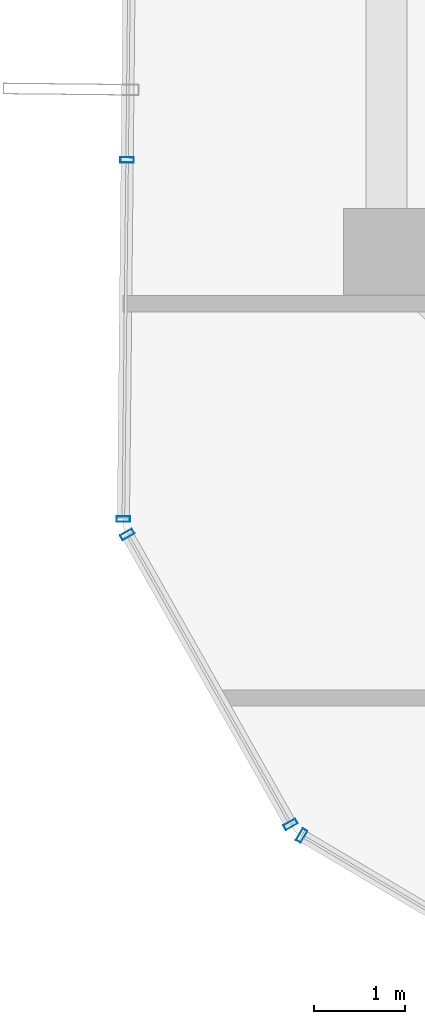
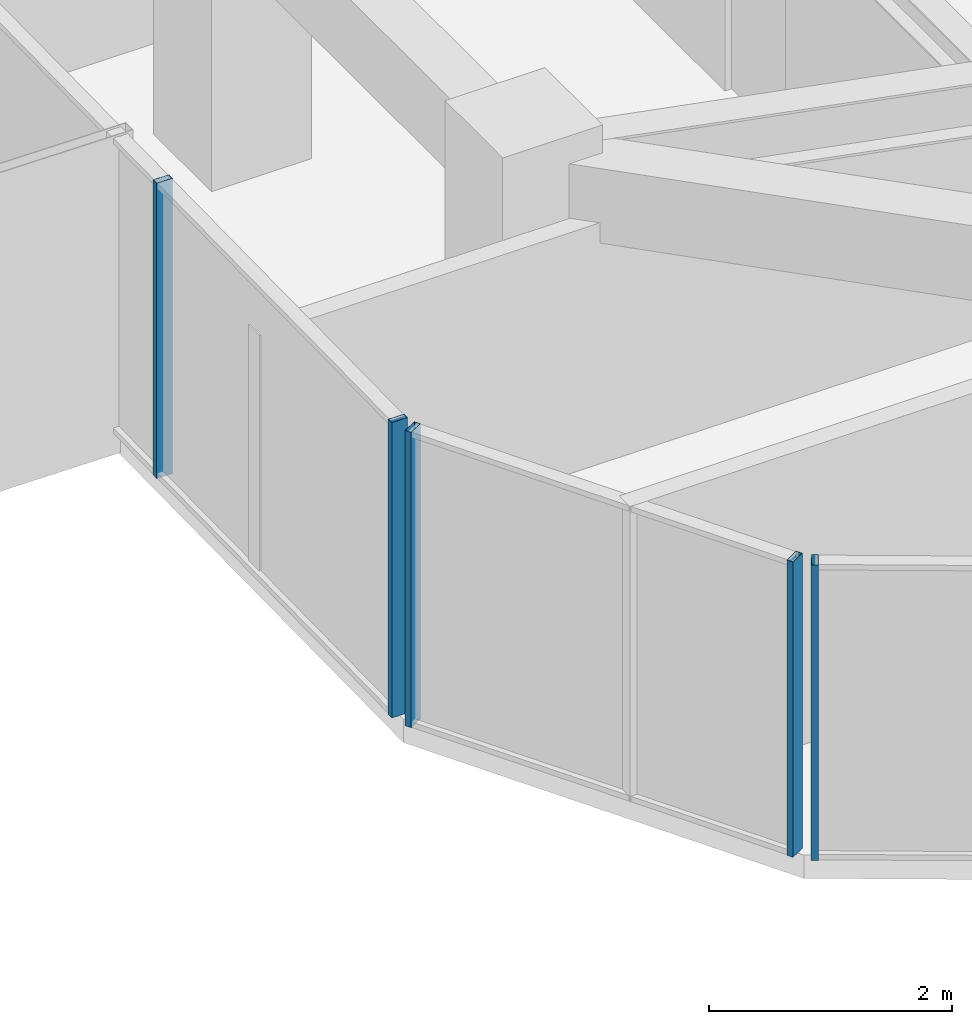
# One storey, part 4 of 30: 5 members, 3 elements without a shape of their own.
"""IFC4 building model written with IfcOpenShell, lengths in metres."""

import ifcopenshell
import ifcopenshell.guid

model = None  # the IFC model being written
_history = None  # IfcOwnerHistory: only IFC2X3 demands one
_inside = {}  # id of a spatial element -> (the spatial element, [elements in it])
_under = {}  # id of a project, library or spatial element -> (it, [spatial elements below it])
_declared = {}  # id of a project -> (the project, [libraries it declares])
_typed = {}  # id of a type object -> (the type object, [elements of that type])
_made_of = {}  # id of a material, layer set ... -> (it, [elements and type objects made of it])


def new_model(schema):
    """Start an empty IFC model of exactly this schema.

    Asked for "IFC4X3", IfcOpenShell would pick the latest addendum, in which some entities
    have other attributes; the version numbers below select the first issue.
    IFC2X3 requires an IfcOwnerHistory on every rooted entity: one is made here for all.
    """
    global model, _history
    if schema == "IFC4X3":
        model = ifcopenshell.file(schema_version=(4, 3, 0, 0))
    else:
        model = ifcopenshell.file(schema=schema)
    _inside.clear()
    _under.clear()
    _declared.clear()
    _typed.clear()
    _made_of.clear()
    _history = None
    if model.schema == "IFC2X3":
        org = make("IfcOrganization", Name="unknown")
        user = make(
            "IfcPersonAndOrganization",
            ThePerson=make("IfcPerson", FamilyName="unknown"),
            TheOrganization=org,
        )
        app = make(
            "IfcApplication",
            ApplicationDeveloper=org,
            Version="unknown",
            ApplicationFullName="unknown",
            ApplicationIdentifier="unknown",
        )
        _history = make(
            "IfcOwnerHistory",
            OwningUser=user,
            OwningApplication=app,
            ChangeAction="ADDED",
            CreationDate=0,
        )
    return model


def make(cls, **values):
    """One entity of the class cls with the attributes given. An attribute that is None is left unset."""
    return model.create_entity(
        cls, **{name: value for name, value in values.items() if value is not None}
    )


def rooted(cls, **values):
    """An entity with a GlobalId (a new one), such as an element, a storey or a relation."""
    return make(cls, GlobalId=ifcopenshell.guid.new(), OwnerHistory=_history, **values)


def si_unit(unit_type, name, prefix=None):
    """IfcSIUnit, for example si_unit("LENGTHUNIT", "METRE", prefix="MILLI")."""
    return make("IfcSIUnit", UnitType=unit_type, Prefix=prefix, Name=name)


def assignment(units):
    """IfcUnitAssignment: the units of a project."""
    return None if units is None else make("IfcUnitAssignment", Units=units)


def point(xyz):
    """IfcCartesianPoint."""
    return None if xyz is None else make("IfcCartesianPoint", Coordinates=xyz)


def direction(xyz):
    """IfcDirection."""
    return None if xyz is None else make("IfcDirection", DirectionRatios=xyz)


def frame(location, z_axis=None, x_axis=None):
    """IfcAxis2Placement3D, a coordinate frame: its origin and axes. An axis left out is left unset."""
    return make(
        "IfcAxis2Placement3D",
        Location=point(location),
        Axis=direction(z_axis),
        RefDirection=direction(x_axis),
    )


def frame_2d(location, x_axis=None):
    """IfcAxis2Placement2D, a coordinate frame in the plane: its origin and x axis."""
    return make(
        "IfcAxis2Placement2D", Location=point(location), RefDirection=direction(x_axis)
    )


def origin():
    """The frame at (0, 0, 0) with its axes left unset."""
    return frame((0.0, 0.0, 0.0))


def origin_2d():
    """The frame at (0, 0) in the plane with its x axis left unset."""
    return frame_2d((0.0, 0.0))


def place(relative_to, where):
    """IfcLocalPlacement: puts the frame where relative to a parent placement (None: the world)."""
    return make(
        "IfcLocalPlacement", PlacementRelTo=relative_to, RelativePlacement=where
    )


def context(
    kind, dimensions, precision=None, world=None, true_north=None, identifier=None
):
    """IfcGeometricRepresentationContext, for example the 3D "Model" context."""
    return make(
        "IfcGeometricRepresentationContext",
        ContextIdentifier=identifier,
        ContextType=kind,
        CoordinateSpaceDimension=dimensions,
        Precision=precision,
        WorldCoordinateSystem=world,
        TrueNorth=true_north,
    )


def subcontext(parent, identifier, kind, view, scale=None):
    """IfcGeometricRepresentationSubContext, for example "Body" below "Model"."""
    return make(
        "IfcGeometricRepresentationSubContext",
        ContextIdentifier=identifier,
        ContextType=kind,
        ParentContext=parent,
        TargetScale=scale,
        TargetView=view,
    )


def project(units=None, contexts=None):
    """IfcProject with its units and contexts."""
    return rooted(
        "IfcProject",
        Name="project",
        RepresentationContexts=contexts,
        UnitsInContext=assignment(units),
    )


def spatial(cls, under=None, at=None, **own):
    """A site, building, storey or space (cls), placed at a placement, below another one or the project."""
    s = rooted(cls, ObjectPlacement=at, **own)
    if under is not None:
        _under.setdefault(under.id(), (under, []))[1].append(s)
    return s


def profile(cls, at=None, kind="AREA", **sizes):
    """A parametric profile (cls). Its sizes go by their IFC names, for example OverallWidth=200.0."""
    return make(cls, ProfileType=kind, Position=at, **sizes)


def hollow_rectangle(**sizes):
    """IfcRectangleHollowProfileDef."""
    return profile("IfcRectangleHollowProfileDef", **sizes)


def extrude(swept, where, along, depth):
    """IfcExtrudedAreaSolid: the profile swept, set in the frame where, extruded along a direction by depth."""
    return make(
        "IfcExtrudedAreaSolid",
        SweptArea=swept,
        Position=where,
        ExtrudedDirection=direction(along),
        Depth=depth,
    )


def shape(context_of_items, identifier, shape_type, items):
    """IfcShapeRepresentation: the items that make up one representation, for example the "Body"."""
    return make(
        "IfcShapeRepresentation",
        ContextOfItems=context_of_items,
        RepresentationIdentifier=identifier,
        RepresentationType=shape_type,
        Items=items,
    )


def source(mapping_origin, context_of_items, identifier, shape_type, items):
    """IfcRepresentationMap: a shape defined once, which mapped items show again and again."""
    return make(
        "IfcRepresentationMap",
        MappingOrigin=mapping_origin,
        MappedRepresentation=shape(context_of_items, identifier, shape_type, items),
    )


def transform(
    local_origin,
    x_axis=None,
    y_axis=None,
    z_axis=None,
    scale=None,
    scale2=None,
    scale3=None,
    uniform=True,
):
    """IfcCartesianTransformationOperator3D, or its non-uniform kind. x_axis, y_axis, z_axis: its Axis1, 2, 3."""
    if uniform:
        return make(
            "IfcCartesianTransformationOperator3D",
            Axis1=direction(x_axis),
            Axis2=direction(y_axis),
            LocalOrigin=point(local_origin),
            Scale=scale,
            Axis3=direction(z_axis),
        )
    return make(
        "IfcCartesianTransformationOperator3DnonUniform",
        Axis1=direction(x_axis),
        Axis2=direction(y_axis),
        LocalOrigin=point(local_origin),
        Scale=scale,
        Axis3=direction(z_axis),
        Scale2=scale2,
        Scale3=scale3,
    )


def mapped(mapping_source, mapping_target):
    """IfcMappedItem: shows the shape of a source again, moved by a transform."""
    return make(
        "IfcMappedItem", MappingSource=mapping_source, MappingTarget=mapping_target
    )


def material(Name=None, Category=None):
    """IfcMaterial."""
    return make("IfcMaterial", Name=Name, Category=Category)


def layer(
    of_material, thickness, ventilated=None, Name=None, Category=None, Priority=None
):
    """IfcMaterialLayer: one layer of a wall or slab, of a material (None: an air gap)."""
    return make(
        "IfcMaterialLayer",
        Material=of_material,
        LayerThickness=thickness,
        IsVentilated=ventilated,
        Name=Name,
        Category=Category,
        Priority=Priority,
    )


def layer_set(layers, Name=None):
    """IfcMaterialLayerSet."""
    return make("IfcMaterialLayerSet", MaterialLayers=layers, LayerSetName=Name)


def material_profile(
    of_material, cross_section, Name=None, Category=None, Priority=None
):
    """IfcMaterialProfile: a cross section and its material."""
    return make(
        "IfcMaterialProfile",
        Name=Name,
        Material=of_material,
        Profile=cross_section,
        Priority=Priority,
        Category=Category,
    )


def profile_set(profiles, Name=None, composite=None):
    """IfcMaterialProfileSet."""
    return make(
        "IfcMaterialProfileSet",
        Name=Name,
        MaterialProfiles=profiles,
        CompositeProfile=composite,
    )


def made_of(thing, what):
    """Note that an element or type object is made of a material, layer set ...; save() writes the relation."""
    if what is not None:
        _made_of.setdefault(what.id(), (what, []))[1].append(thing)
    return thing


def type_object(cls, material=None, **own):
    """A type object (cls), such as IfcWallType, which elements share."""
    return made_of(rooted(cls, **own), material)


def element(
    cls,
    number,
    at=None,
    inside=None,
    cuts=None,
    type_object=None,
    material=None,
    context=None,
    identifier="Body",
    shape_type=None,
    held_by="IfcProductDefinitionShape",
    body=None,
    shapes=None,
    **own,
):
    """One element of the class cls, such as IfcWall. Its Tag is "e" and its number.

    at: its placement. inside: the storey or other place that contains it. cuts: it is an
    opening in that element (IfcRelVoidsElement). A single representation is given by context,
    identifier, shape_type and body (its items); several are given by shapes. held_by: the class
    of the entity that holds the representations. save() writes the other relations.
    """
    e = rooted(cls, Tag="e%d" % number, ObjectPlacement=at, **own)
    if body is not None:
        shapes = [shape(context, identifier, shape_type, body)]
    if shapes is not None:
        e.Representation = make(held_by, Representations=shapes)
    if inside is not None:
        _inside.setdefault(inside.id(), (inside, []))[1].append(e)
    if cuts is not None:
        rooted(
            "IfcRelVoidsElement", RelatingBuildingElement=cuts, RelatedOpeningElement=e
        )
    if type_object is not None:
        _typed.setdefault(type_object.id(), (type_object, []))[1].append(e)
    return made_of(e, material)


def aggregate(whole, parts):
    """IfcRelAggregates: a whole, such as a stair, and the parts it consists of."""
    return rooted("IfcRelAggregates", RelatingObject=whole, RelatedObjects=parts)


def save(model, path):
    """Write the relations noted so far, then the file.

    IfcRelAggregates (storeys below a building ...), IfcRelContainedInSpatialStructure (elements
    in a storey), IfcRelDefinesByType, IfcRelAssociatesMaterial and IfcRelDeclares: one each for
    every whole, place, type object, material and project.
    """
    for whole, parts in _under.values():
        aggregate(whole, parts)
    for where, things in _inside.values():
        rooted(
            "IfcRelContainedInSpatialStructure",
            RelatedElements=things,
            RelatingStructure=where,
        )
    for kind, things in _typed.values():
        rooted("IfcRelDefinesByType", RelatedObjects=things, RelatingType=kind)
    for what, things in _made_of.values():
        rooted("IfcRelAssociatesMaterial", RelatedObjects=things, RelatingMaterial=what)
    for by, libraries in _declared.values():
        rooted("IfcRelDeclares", RelatingContext=by, RelatedDefinitions=libraries)
    model.write(path)


model = new_model("IFC4")

# Units and contexts
model_context = context("Model", 3, precision=1e-05, world=origin(), true_north=direction((0.0, 1.0)))
body_context = subcontext(model_context, "Body", "Model", "MODEL_VIEW")
ifc_project = project(units=[si_unit("LENGTHUNIT", "METRE"), si_unit("AREAUNIT", "SQUARE_METRE"), si_unit("VOLUMEUNIT", "CUBIC_METRE"), si_unit("PLANEANGLEUNIT", "RADIAN"), si_unit("MASSUNIT", "GRAM", prefix="KILO")], contexts=[model_context])

# Site, building, storey
site_placement = place(None, origin())
site = spatial("IfcSite", under=ifc_project, at=site_placement, CompositionType="ELEMENT")
building_placement = place(site_placement, origin())
building = spatial("IfcBuilding", under=site, at=building_placement, Name="Veraguas Prism Commons", CompositionType="ELEMENT")
storey_placement = place(building_placement, frame((0.0, 0.0, 208.10009765625)))
storey = spatial("IfcBuildingStorey", under=building, at=storey_placement, Name="L59", CompositionType="ELEMENT", Elevation=208.10009765625)

# Curtain wall, members
ifc_material = material(Name="Anodised aluminium EN AW-6063 T6", Category="aluminium")
ifc_layer = layer(ifc_material, 0.14990234375, Name="Unitised Flush Curtain Wall Zone 3", Category="aluminium")
ifc_layer_set = layer_set([ifc_layer], Name="Anodised aluminium EN AW-6063 T6")
curtain_wall_type = type_object("IfcCurtainWallType", Name="Unitised Flush Curtain Wall Zone 3", PredefinedType="NOTDEFINED", material=ifc_layer_set)
curtain_wall_1_placement = place(storey_placement, origin())
curtain_wall_1 = element("IfcCurtainWall", 1, at=curtain_wall_1_placement, inside=storey, type_object=curtain_wall_type, Name="Tower Facade Curtain Wall L59-F3", PredefinedType="NOTDEFINED")
ifc_material_profile = material_profile(ifc_material, hollow_rectangle(XDim=0.06005859375, YDim=0.14990234375, WallThickness=0.0029296875, at=origin_2d()), Name="AL60X150X3")
ifc_profile_set = profile_set([ifc_material_profile], Name="Anodised aluminium EN AW-6063 T6")
member_type = type_object("IfcMemberType", Name="Curtain Wall Mullion Upper AL 60x150x3", PredefinedType="MULLION", material=ifc_profile_set)
shared_shape = source(origin(), body_context, "Body", "SweptSolid", [
    extrude(hollow_rectangle(XDim=0.06005859375, YDim=0.14990234375, WallThickness=0.0029296875, at=origin_2d()), origin(), (0.0, 0.0, 1.0), 2.969970703125),
])
member_1_placement = place(storey_placement, frame((6.2490234375, 20.2099609375, 0.0), z_axis=(0.0, 0.0, 1.0), x_axis=(-0.010470038883, -0.999945187641, 0.0)))
member_1 = element("IfcMember", 2, at=member_1_placement, type_object=member_type, Name="CW-Z3 Mullion 4", PredefinedType="MULLION", context=body_context, shape_type="MappedRepresentation", body=[
    mapped(shared_shape, transform((0.0, 0.0, 0.0), scale=1.0)),
])
member_2_placement = place(storey_placement, frame((6.207763671875, 16.2646484375, 0.0), z_axis=(0.0, 0.0, 1.0), x_axis=(-0.010470038883, -0.999945187641, 0.0)))
member_2 = element("IfcMember", 3, at=member_2_placement, type_object=member_type, Name="CW-Z3 Mullion 5", PredefinedType="MULLION", context=body_context, shape_type="MappedRepresentation", body=[
    mapped(shared_shape, transform((0.0, 0.0, 0.0), scale=1.0)),
])
aggregate(curtain_wall_1, [member_1, member_2])

# Curtain wall, member
curtain_wall_2_placement = place(storey_placement, origin())
curtain_wall_2 = element("IfcCurtainWall", 4, at=curtain_wall_2_placement, inside=storey, type_object=curtain_wall_type, Name="Tower Facade Curtain Wall L59-F4", PredefinedType="NOTDEFINED")
member_3_placement = place(storey_placement, frame((8.16650390625, 12.788330078125, 0.0), z_axis=(0.0, 0.0, 1.0), x_axis=(0.860741138558, -0.509042918028, 0.0)))
member_3 = element("IfcMember", 5, at=member_3_placement, type_object=member_type, Name="CW-Z3 Mullion 1", PredefinedType="MULLION", context=body_context, shape_type="MappedRepresentation", body=[
    mapped(shared_shape, transform((0.0, 0.0, 0.0), scale=1.0)),
])
aggregate(curtain_wall_2, [member_3])

# Curtain wall, members
curtain_wall_3_placement = place(storey_placement, origin())
curtain_wall_3 = element("IfcCurtainWall", 6, at=curtain_wall_3_placement, inside=storey, type_object=curtain_wall_type, Name="Chamfer Curtain Wall L59-C4", PredefinedType="NOTDEFINED")
member_4_placement = place(storey_placement, frame((6.251220703125, 16.09619140625, 0.0), z_axis=(0.0, 0.0, 1.0), x_axis=(0.490885506848, -0.871224092393, 0.0)))
member_4 = element("IfcMember", 7, at=member_4_placement, type_object=member_type, Name="CW-Z3 Mullion 1", PredefinedType="MULLION", context=body_context, shape_type="MappedRepresentation", body=[
    mapped(shared_shape, transform((0.0, 0.0, 0.0), scale=1.0)),
])
member_5_placement = place(storey_placement, frame((8.044921875, 12.91259765625, 0.0), z_axis=(0.0, 0.0, 1.0), x_axis=(0.490885506848, -0.871224092393, 0.0)))
member_5 = element("IfcMember", 8, at=member_5_placement, type_object=member_type, Name="CW-Z3 Mullion 2", PredefinedType="MULLION", context=body_context, shape_type="MappedRepresentation", body=[
    mapped(shared_shape, transform((0.0, 0.0, 0.0), scale=1.0)),
])
aggregate(curtain_wall_3, [member_4, member_5])

save(model, "model.ifc")
